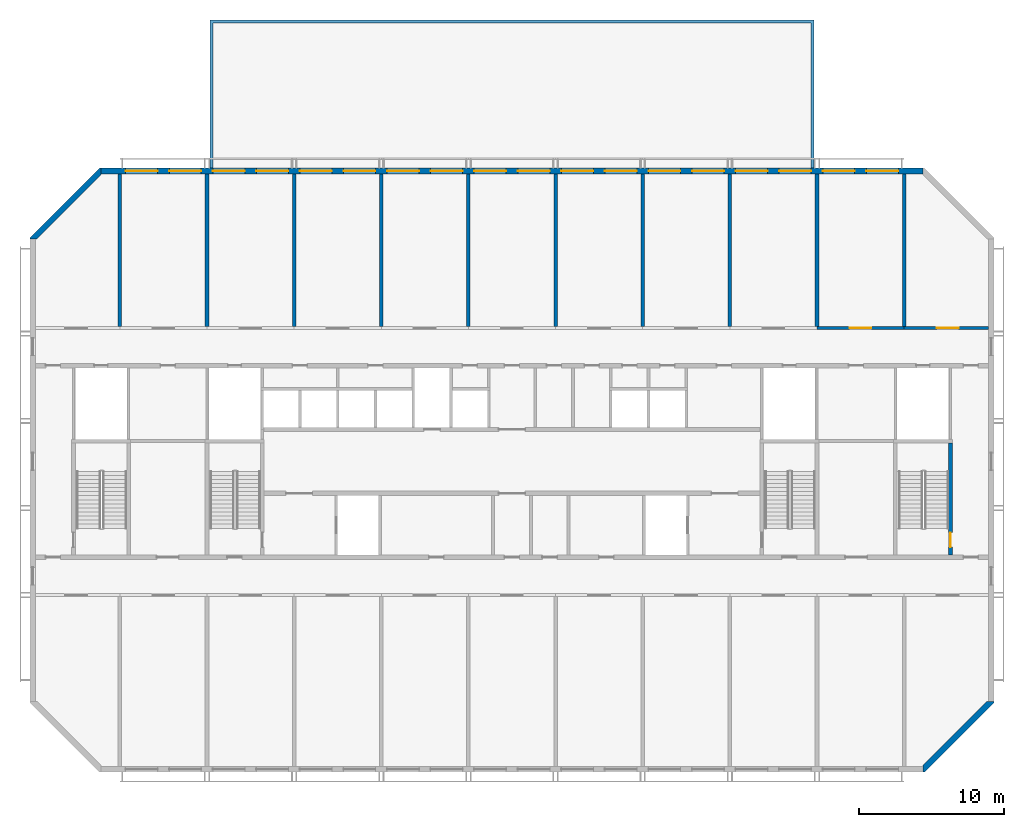
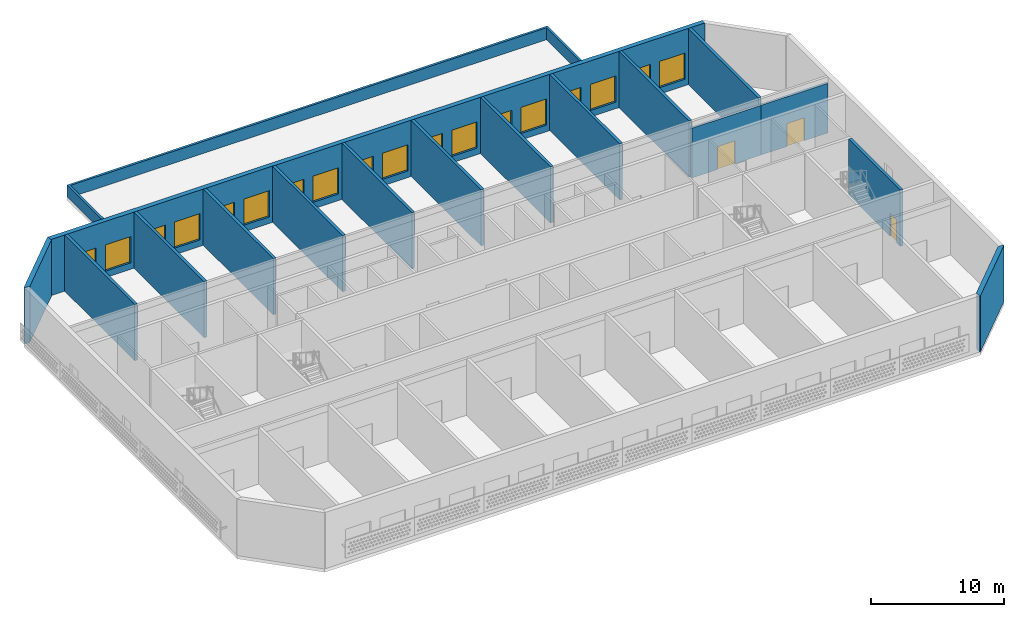
# One storey, part 6 of 18: 18 windows, 17 walls, 3 doors, 21 openings.
"""IFC4 building model written with IfcOpenShell, lengths in metres."""

from ifc_helpers import new_model, si_unit, direction, frame, frame_2d, origin, place, context, subcontext, project, spatial, polyline, rectangle, outline, extrude, material, layer, layer_set, type_object, element, fill, save


model = new_model("IFC4")

# Units and contexts
model_context = context("Model", 3, precision=1e-05, world=origin(), true_north=direction((0.0, 1.0)))
body_context = subcontext(model_context, "Body", "Model", "MODEL_VIEW")
ifc_project = project(units=[si_unit("LENGTHUNIT", "METRE"), si_unit("AREAUNIT", "SQUARE_METRE"), si_unit("VOLUMEUNIT", "CUBIC_METRE"), si_unit("PLANEANGLEUNIT", "RADIAN"), si_unit("MASSUNIT", "GRAM", prefix="KILO")], contexts=[model_context])

# Site, building, storey
site_placement = place(None, origin())
site = spatial("IfcSite", under=ifc_project, at=site_placement, CompositionType="ELEMENT")
building_placement = place(site_placement, origin())
building = spatial("IfcBuilding", under=site, at=building_placement, Name="Poui Terraces", CompositionType="ELEMENT")
storey_placement = place(building_placement, frame((0.0, 0.0, 267.0)))
storey = spatial("IfcBuildingStorey", under=building, at=storey_placement, Name="L74", CompositionType="ELEMENT", Elevation=267.0)

# Wall, opening, door
ifc_material_1 = material(Name="Concrete 50 MPa", Category="concrete")
ifc_layer_1 = layer(ifc_material_1, 0.199951171875)
ifc_layer_set_1 = layer_set([ifc_layer_1], Name="Concrete 50 MPa")
wall_type_1 = type_object("IfcWallType", Name="CORRIDOR WALL 200 50MPa", PredefinedType="SHEAR", material=ifc_layer_set_1)
wall_1_placement = place(storey_placement, frame((72.0, 30.39990234375, 0.0), z_axis=(0.0, 0.0, 1.0), x_axis=(1.0, 0.0, 0.0)))
wall_1 = element("IfcWall", 1, at=wall_1_placement, inside=storey, type_object=wall_type_1, Name="CORRIDOR WALL LINE E BAY 10", PredefinedType="SHEAR", context=body_context, shape_type="SweptSolid", body=[
    extrude(rectangle(XDim=6.0, YDim=0.199951171875, at=frame_2d((3.0, 0.0))), origin(), (0.0, 0.0, 1.0), 4.550048828125),
])
opening_1_placement = place(wall_1_placement, frame((2.25, 0.0, 0.0)))
opening_1 = element("IfcOpeningElement", 2, at=opening_1_placement, cuts=wall_1, Name="Opening FDP", PredefinedType="OPENING", context=body_context, shape_type="SweptSolid", body=[
    extrude(rectangle(XDim=1.5, YDim=2.10009765625, at=frame_2d((0.75, 1.050048828125))), frame((0.0, 0.10986328125, 0.0), z_axis=(0.0, -1.0, 0.0), x_axis=(1.0, 0.0, 0.0)), (0.0, 0.0, 1.0), 0.219970703125),
])
ifc_material_2 = material(Name="Steel fire door", Category="steel")
door_type_1 = type_object("IfcDoorType", Name="PLANT ROOM DOOR PAIR 1500 X 2100", OperationType="DOUBLE_DOOR_SINGLE_SWING", PredefinedType="DOOR", material=ifc_material_2)
door_1_placement = place(opening_1_placement, frame((1.5, 0.0, 0.0), z_axis=(0.0, 0.0, 1.0), x_axis=(-1.0, 0.0, 0.0)))
door_1 = element("IfcDoor", 3, at=door_1_placement, inside=storey, type_object=door_type_1, Name="PLANT ROOM DOOR PAIR 025", OperationType="DOUBLE_DOOR_SINGLE_SWING", OverallHeight=2.10009765625, OverallWidth=1.5, PredefinedType="DOOR", context=body_context, shape_type="SweptSolid", body=[
    extrude(rectangle(XDim=1.5, YDim=2.10009765625, at=frame_2d((0.75, 1.050048828125))), frame((0.0, 0.02490234375, 0.0), z_axis=(0.0, -1.0, 0.0), x_axis=(1.0, 0.0, 0.0)), (0.0, 0.0, 1.0), 0.050048828125),
])
fill(opening_1, door_1)

wall_2_placement = place(storey_placement, frame((78.0, 30.39990234375, 0.0), z_axis=(0.0, 0.0, 1.0), x_axis=(1.0, 0.0, 0.0)))
wall_2 = element("IfcWall", 4, at=wall_2_placement, inside=storey, type_object=wall_type_1, Name="CORRIDOR WALL LINE E BAY 11", PredefinedType="SHEAR", context=body_context, shape_type="SweptSolid", body=[
    extrude(rectangle(XDim=5.800048828125, YDim=0.199951171875, at=frame_2d((2.89990234375, 0.0))), origin(), (0.0, 0.0, 1.0), 4.550048828125),
])
opening_2_placement = place(wall_2_placement, frame((2.25, 0.0, 0.0)))
opening_2 = element("IfcOpeningElement", 5, at=opening_2_placement, cuts=wall_2, Name="Opening FDP", PredefinedType="OPENING", context=body_context, shape_type="SweptSolid", body=[
    extrude(rectangle(XDim=1.5, YDim=2.10009765625, at=frame_2d((0.75, 1.050048828125))), frame((0.0, 0.10986328125, 0.0), z_axis=(0.0, -1.0, 0.0), x_axis=(1.0, 0.0, 0.0)), (0.0, 0.0, 1.0), 0.219970703125),
])
door_2_placement = place(opening_2_placement, frame((1.5, 0.0, 0.0), z_axis=(0.0, 0.0, 1.0), x_axis=(-1.0, 0.0, 0.0)))
door_2 = element("IfcDoor", 6, at=door_2_placement, inside=storey, type_object=door_type_1, Name="PLANT ROOM DOOR PAIR 027", OperationType="DOUBLE_DOOR_SINGLE_SWING", OverallHeight=2.10009765625, OverallWidth=1.5, PredefinedType="DOOR", context=body_context, shape_type="SweptSolid", body=[
    extrude(rectangle(XDim=1.5, YDim=2.10009765625, at=frame_2d((0.75, 1.050048828125))), frame((0.0, 0.02490234375, 0.0), z_axis=(0.0, -1.0, 0.0), x_axis=(1.0, 0.0, 0.0)), (0.0, 0.0, 1.0), 0.050048828125),
])
fill(opening_2, door_2)

# Walls
ifc_layer_2 = layer(ifc_material_1, 0.25)
ifc_layer_set_2 = layer_set([ifc_layer_2], Name="Concrete 50 MPa")
wall_type_2 = type_object("IfcWallType", Name="CROSS WALL 250 50MPa", PredefinedType="SHEAR", material=ifc_layer_set_2)
for number, where, z_axis, x_axis, name in (
    (7, (24.0, 30.5, 0.0), (0.0, 0.0, 1.0), (0.0, 1.0, 0.0), "CROSS WALL LINE 5 NORTH"),
    (8, (30.0, 30.5, 0.0), (0.0, 0.0, 1.0), (0.0, 1.0, 0.0), "CROSS WALL LINE 6 NORTH"),
    (9, (36.0, 30.5, 0.0), (0.0, 0.0, 1.0), (0.0, 1.0, 0.0), "CROSS WALL LINE 7 NORTH"),
    (10, (42.0, 30.5, 0.0), (0.0, 0.0, 1.0), (0.0, 1.0, 0.0), "CROSS WALL LINE 8 NORTH"),
    (11, (48.0, 30.5, 0.0), (0.0, 0.0, 1.0), (0.0, 1.0, 0.0), "CROSS WALL LINE 9 NORTH"),
    (12, (54.0, 30.5, 0.0), (0.0, 0.0, 1.0), (0.0, 1.0, 0.0), "CROSS WALL LINE 10 NORTH"),
    (13, (60.0, 30.5, 0.0), (0.0, 0.0, 1.0), (0.0, 1.0, 0.0), "CROSS WALL LINE 11 NORTH"),
    (14, (66.0, 30.5, 0.0), (0.0, 0.0, 1.0), (0.0, 1.0, 0.0), "CROSS WALL LINE 12 NORTH"),
    (15, (72.0, 30.5, 0.0), (0.0, 0.0, 1.0), (0.0, 1.0, 0.0), "CROSS WALL LINE 13 NORTH"),
    (16, (78.0, 30.5, 0.0), (0.0, 0.0, 1.0), (0.0, 1.0, 0.0), "CROSS WALL LINE 14 NORTH"),
):
    element("IfcWall", number, at=place(storey_placement, frame(where, z_axis=z_axis, x_axis=x_axis)), inside=storey, type_object=wall_type_2, Name=name, PredefinedType="SHEAR", context=body_context, shape_type="SweptSolid", body=[
        extrude(rectangle(XDim=10.5, YDim=0.25, at=frame_2d((5.25, 0.0))), origin(), (0.0, 0.0, 1.0), 5.14990234375),
    ])

# Wall, openings, windows
ifc_material_3 = material(Name="Precast concrete 40 MPa", Category="concrete")
ifc_layer_3 = layer(ifc_material_3, 0.39990234375)
ifc_layer_set_3 = layer_set([ifc_layer_3], Name="Precast concrete 40 MPa")
wall_type_3 = type_object("IfcWallType", Name="EXTERNAL WALL 400", PredefinedType="STANDARD", material=ifc_layer_set_3)
wall_3_placement = place(storey_placement, frame((79.317138671875, 41.199951171875, 0.0), z_axis=(0.0, 0.0, 1.0), x_axis=(-1.0, 0.0, 0.0)))
wall_3 = element("IfcWall", 17, at=wall_3_placement, inside=storey, type_object=wall_type_3, Name="EXTERNAL WALL N", PredefinedType="STANDARD", context=body_context, shape_type="SweptSolid", body=[
    extrude(rectangle(XDim=56.63427734375, YDim=0.39990234375, at=frame_2d((28.317138671875, 0.0))), origin(), (0.0, 0.0, 1.0), 5.14990234375),
])
opening_3_placement = place(wall_3_placement, frame((52.71728515625, 0.0, 0.60009765625)))
opening_3 = element("IfcOpeningElement", 18, at=opening_3_placement, cuts=wall_3, Name="Opening W5", PredefinedType="OPENING", context=body_context, shape_type="SweptSolid", body=[
    extrude(rectangle(XDim=2.199951171875, YDim=2.39990234375, at=frame_2d((1.10009765625, 1.199951171875))), frame((0.0, 0.2099609375, 0.0), z_axis=(0.0, -1.0, 0.0), x_axis=(1.0, 0.0, 0.0)), (0.0, 0.0, 1.0), 0.419921875),
])
opening_4_placement = place(wall_3_placement, frame((49.71728515625, 0.0, 0.60009765625)))
opening_4 = element("IfcOpeningElement", 19, at=opening_4_placement, cuts=wall_3, Name="Opening W5", PredefinedType="OPENING", context=body_context, shape_type="SweptSolid", body=[
    extrude(rectangle(XDim=2.199951171875, YDim=2.39990234375, at=frame_2d((1.10009765625, 1.199951171875))), frame((0.0, 0.2099609375, 0.0), z_axis=(0.0, -1.0, 0.0), x_axis=(1.0, 0.0, 0.0)), (0.0, 0.0, 1.0), 0.419921875),
])
opening_5_placement = place(wall_3_placement, frame((46.71728515625, 0.0, 0.60009765625)))
opening_5 = element("IfcOpeningElement", 20, at=opening_5_placement, cuts=wall_3, Name="Opening W5", PredefinedType="OPENING", context=body_context, shape_type="SweptSolid", body=[
    extrude(rectangle(XDim=2.199951171875, YDim=2.39990234375, at=frame_2d((1.10009765625, 1.199951171875))), frame((0.0, 0.2099609375, 0.0), z_axis=(0.0, -1.0, 0.0), x_axis=(1.0, 0.0, 0.0)), (0.0, 0.0, 1.0), 0.419921875),
])
opening_6_placement = place(wall_3_placement, frame((43.71728515625, 0.0, 0.60009765625)))
opening_6 = element("IfcOpeningElement", 21, at=opening_6_placement, cuts=wall_3, Name="Opening W5", PredefinedType="OPENING", context=body_context, shape_type="SweptSolid", body=[
    extrude(rectangle(XDim=2.199951171875, YDim=2.39990234375, at=frame_2d((1.10009765625, 1.199951171875))), frame((0.0, 0.2099609375, 0.0), z_axis=(0.0, -1.0, 0.0), x_axis=(1.0, 0.0, 0.0)), (0.0, 0.0, 1.0), 0.419921875),
])
opening_7_placement = place(wall_3_placement, frame((40.71728515625, 0.0, 0.60009765625)))
opening_7 = element("IfcOpeningElement", 22, at=opening_7_placement, cuts=wall_3, Name="Opening W5", PredefinedType="OPENING", context=body_context, shape_type="SweptSolid", body=[
    extrude(rectangle(XDim=2.199951171875, YDim=2.39990234375, at=frame_2d((1.10009765625, 1.199951171875))), frame((0.0, 0.2099609375, 0.0), z_axis=(0.0, -1.0, 0.0), x_axis=(1.0, 0.0, 0.0)), (0.0, 0.0, 1.0), 0.419921875),
])
opening_8_placement = place(wall_3_placement, frame((37.71728515625, 0.0, 0.60009765625)))
opening_8 = element("IfcOpeningElement", 23, at=opening_8_placement, cuts=wall_3, Name="Opening W5", PredefinedType="OPENING", context=body_context, shape_type="SweptSolid", body=[
    extrude(rectangle(XDim=2.199951171875, YDim=2.39990234375, at=frame_2d((1.10009765625, 1.199951171875))), frame((0.0, 0.2099609375, 0.0), z_axis=(0.0, -1.0, 0.0), x_axis=(1.0, 0.0, 0.0)), (0.0, 0.0, 1.0), 0.419921875),
])
opening_9_placement = place(wall_3_placement, frame((34.71728515625, 0.0, 0.60009765625)))
opening_9 = element("IfcOpeningElement", 24, at=opening_9_placement, cuts=wall_3, Name="Opening W5", PredefinedType="OPENING", context=body_context, shape_type="SweptSolid", body=[
    extrude(rectangle(XDim=2.199951171875, YDim=2.39990234375, at=frame_2d((1.10009765625, 1.199951171875))), frame((0.0, 0.2099609375, 0.0), z_axis=(0.0, -1.0, 0.0), x_axis=(1.0, 0.0, 0.0)), (0.0, 0.0, 1.0), 0.419921875),
])
opening_10_placement = place(wall_3_placement, frame((31.71728515625, 0.0, 0.60009765625)))
opening_10 = element("IfcOpeningElement", 25, at=opening_10_placement, cuts=wall_3, Name="Opening W5", PredefinedType="OPENING", context=body_context, shape_type="SweptSolid", body=[
    extrude(rectangle(XDim=2.199951171875, YDim=2.39990234375, at=frame_2d((1.10009765625, 1.199951171875))), frame((0.0, 0.2099609375, 0.0), z_axis=(0.0, -1.0, 0.0), x_axis=(1.0, 0.0, 0.0)), (0.0, 0.0, 1.0), 0.419921875),
])
opening_11_placement = place(wall_3_placement, frame((28.71728515625, 0.0, 0.60009765625)))
opening_11 = element("IfcOpeningElement", 26, at=opening_11_placement, cuts=wall_3, Name="Opening W5", PredefinedType="OPENING", context=body_context, shape_type="SweptSolid", body=[
    extrude(rectangle(XDim=2.199951171875, YDim=2.39990234375, at=frame_2d((1.10009765625, 1.199951171875))), frame((0.0, 0.2099609375, 0.0), z_axis=(0.0, -1.0, 0.0), x_axis=(1.0, 0.0, 0.0)), (0.0, 0.0, 1.0), 0.419921875),
])
opening_12_placement = place(wall_3_placement, frame((25.71728515625, 0.0, 0.60009765625)))
opening_12 = element("IfcOpeningElement", 27, at=opening_12_placement, cuts=wall_3, Name="Opening W5", PredefinedType="OPENING", context=body_context, shape_type="SweptSolid", body=[
    extrude(rectangle(XDim=2.199951171875, YDim=2.39990234375, at=frame_2d((1.10009765625, 1.199951171875))), frame((0.0, 0.2099609375, 0.0), z_axis=(0.0, -1.0, 0.0), x_axis=(1.0, 0.0, 0.0)), (0.0, 0.0, 1.0), 0.419921875),
])
opening_13_placement = place(wall_3_placement, frame((22.71728515625, 0.0, 0.60009765625)))
opening_13 = element("IfcOpeningElement", 28, at=opening_13_placement, cuts=wall_3, Name="Opening W5", PredefinedType="OPENING", context=body_context, shape_type="SweptSolid", body=[
    extrude(rectangle(XDim=2.199951171875, YDim=2.39990234375, at=frame_2d((1.10009765625, 1.199951171875))), frame((0.0, 0.2099609375, 0.0), z_axis=(0.0, -1.0, 0.0), x_axis=(1.0, 0.0, 0.0)), (0.0, 0.0, 1.0), 0.419921875),
])
opening_14_placement = place(wall_3_placement, frame((19.71728515625, 0.0, 0.60009765625)))
opening_14 = element("IfcOpeningElement", 29, at=opening_14_placement, cuts=wall_3, Name="Opening W5", PredefinedType="OPENING", context=body_context, shape_type="SweptSolid", body=[
    extrude(rectangle(XDim=2.199951171875, YDim=2.39990234375, at=frame_2d((1.10009765625, 1.199951171875))), frame((0.0, 0.2099609375, 0.0), z_axis=(0.0, -1.0, 0.0), x_axis=(1.0, 0.0, 0.0)), (0.0, 0.0, 1.0), 0.419921875),
])
opening_15_placement = place(wall_3_placement, frame((16.71728515625, 0.0, 0.60009765625)))
opening_15 = element("IfcOpeningElement", 30, at=opening_15_placement, cuts=wall_3, Name="Opening W5", PredefinedType="OPENING", context=body_context, shape_type="SweptSolid", body=[
    extrude(rectangle(XDim=2.199951171875, YDim=2.39990234375, at=frame_2d((1.10009765625, 1.199951171875))), frame((0.0, 0.2099609375, 0.0), z_axis=(0.0, -1.0, 0.0), x_axis=(1.0, 0.0, 0.0)), (0.0, 0.0, 1.0), 0.419921875),
])
opening_16_placement = place(wall_3_placement, frame((13.71728515625, 0.0, 0.60009765625)))
opening_16 = element("IfcOpeningElement", 31, at=opening_16_placement, cuts=wall_3, Name="Opening W5", PredefinedType="OPENING", context=body_context, shape_type="SweptSolid", body=[
    extrude(rectangle(XDim=2.199951171875, YDim=2.39990234375, at=frame_2d((1.10009765625, 1.199951171875))), frame((0.0, 0.2099609375, 0.0), z_axis=(0.0, -1.0, 0.0), x_axis=(1.0, 0.0, 0.0)), (0.0, 0.0, 1.0), 0.419921875),
])
opening_17_placement = place(wall_3_placement, frame((10.71728515625, 0.0, 0.60009765625)))
opening_17 = element("IfcOpeningElement", 32, at=opening_17_placement, cuts=wall_3, Name="Opening W5", PredefinedType="OPENING", context=body_context, shape_type="SweptSolid", body=[
    extrude(rectangle(XDim=2.199951171875, YDim=2.39990234375, at=frame_2d((1.10009765625, 1.199951171875))), frame((0.0, 0.2099609375, 0.0), z_axis=(0.0, -1.0, 0.0), x_axis=(1.0, 0.0, 0.0)), (0.0, 0.0, 1.0), 0.419921875),
])
opening_18_placement = place(wall_3_placement, frame((7.71728515625, 0.0, 0.60009765625)))
opening_18 = element("IfcOpeningElement", 33, at=opening_18_placement, cuts=wall_3, Name="Opening W5", PredefinedType="OPENING", context=body_context, shape_type="SweptSolid", body=[
    extrude(rectangle(XDim=2.199951171875, YDim=2.39990234375, at=frame_2d((1.10009765625, 1.199951171875))), frame((0.0, 0.2099609375, 0.0), z_axis=(0.0, -1.0, 0.0), x_axis=(1.0, 0.0, 0.0)), (0.0, 0.0, 1.0), 0.419921875),
])
opening_19_placement = place(wall_3_placement, frame((4.71728515625, 0.0, 0.60009765625)))
opening_19 = element("IfcOpeningElement", 34, at=opening_19_placement, cuts=wall_3, Name="Opening W5", PredefinedType="OPENING", context=body_context, shape_type="SweptSolid", body=[
    extrude(rectangle(XDim=2.199951171875, YDim=2.39990234375, at=frame_2d((1.10009765625, 1.199951171875))), frame((0.0, 0.2099609375, 0.0), z_axis=(0.0, -1.0, 0.0), x_axis=(1.0, 0.0, 0.0)), (0.0, 0.0, 1.0), 0.419921875),
])
opening_20_placement = place(wall_3_placement, frame((1.71728515625, 0.0, 0.60009765625)))
opening_20 = element("IfcOpeningElement", 35, at=opening_20_placement, cuts=wall_3, Name="Opening W5", PredefinedType="OPENING", context=body_context, shape_type="SweptSolid", body=[
    extrude(rectangle(XDim=2.199951171875, YDim=2.39990234375, at=frame_2d((1.10009765625, 1.199951171875))), frame((0.0, 0.2099609375, 0.0), z_axis=(0.0, -1.0, 0.0), x_axis=(1.0, 0.0, 0.0)), (0.0, 0.0, 1.0), 0.419921875),
])
ifc_material_4 = material(Name="Clear glass in aluminium frame", Category="aluminium")
window_type = type_object("IfcWindowType", Name="WINDOW 2200X2400", PartitioningType="TRIPLE_PANEL_HORIZONTAL", PredefinedType="WINDOW", material=ifc_material_4)
window_1_placement = place(opening_3_placement, origin())
window_1 = element("IfcWindow", 36, at=window_1_placement, inside=storey, type_object=window_type, Name="W5 WINDOW", OverallHeight=2.39990234375, OverallWidth=2.199951171875, PartitioningType="TRIPLE_PANEL_HORIZONTAL", PredefinedType="WINDOW", context=body_context, shape_type="SweptSolid", body=[
    extrude(rectangle(XDim=2.199951171875, YDim=2.39990234375, at=frame_2d((1.10009765625, 1.199951171875))), frame((0.0, 0.030029296875, 0.0), z_axis=(0.0, -1.0, 0.0), x_axis=(1.0, 0.0, 0.0)), (0.0, 0.0, 1.0), 0.06005859375),
])
fill(opening_3, window_1)
window_2_placement = place(opening_4_placement, origin())
window_2 = element("IfcWindow", 37, at=window_2_placement, inside=storey, type_object=window_type, Name="W5 WINDOW", OverallHeight=2.39990234375, OverallWidth=2.199951171875, PartitioningType="TRIPLE_PANEL_HORIZONTAL", PredefinedType="WINDOW", context=body_context, shape_type="SweptSolid", body=[
    extrude(rectangle(XDim=2.199951171875, YDim=2.39990234375, at=frame_2d((1.10009765625, 1.199951171875))), frame((0.0, 0.030029296875, 0.0), z_axis=(0.0, -1.0, 0.0), x_axis=(1.0, 0.0, 0.0)), (0.0, 0.0, 1.0), 0.06005859375),
])
fill(opening_4, window_2)
window_3_placement = place(opening_5_placement, origin())
window_3 = element("IfcWindow", 38, at=window_3_placement, inside=storey, type_object=window_type, Name="W5 WINDOW", OverallHeight=2.39990234375, OverallWidth=2.199951171875, PartitioningType="TRIPLE_PANEL_HORIZONTAL", PredefinedType="WINDOW", context=body_context, shape_type="SweptSolid", body=[
    extrude(rectangle(XDim=2.199951171875, YDim=2.39990234375, at=frame_2d((1.10009765625, 1.199951171875))), frame((0.0, 0.030029296875, 0.0), z_axis=(0.0, -1.0, 0.0), x_axis=(1.0, 0.0, 0.0)), (0.0, 0.0, 1.0), 0.06005859375),
])
fill(opening_5, window_3)
window_4_placement = place(opening_6_placement, origin())
window_4 = element("IfcWindow", 39, at=window_4_placement, inside=storey, type_object=window_type, Name="W5 WINDOW", OverallHeight=2.39990234375, OverallWidth=2.199951171875, PartitioningType="TRIPLE_PANEL_HORIZONTAL", PredefinedType="WINDOW", context=body_context, shape_type="SweptSolid", body=[
    extrude(rectangle(XDim=2.199951171875, YDim=2.39990234375, at=frame_2d((1.10009765625, 1.199951171875))), frame((0.0, 0.030029296875, 0.0), z_axis=(0.0, -1.0, 0.0), x_axis=(1.0, 0.0, 0.0)), (0.0, 0.0, 1.0), 0.06005859375),
])
fill(opening_6, window_4)
window_5_placement = place(opening_7_placement, origin())
window_5 = element("IfcWindow", 40, at=window_5_placement, inside=storey, type_object=window_type, Name="W5 WINDOW", OverallHeight=2.39990234375, OverallWidth=2.199951171875, PartitioningType="TRIPLE_PANEL_HORIZONTAL", PredefinedType="WINDOW", context=body_context, shape_type="SweptSolid", body=[
    extrude(rectangle(XDim=2.199951171875, YDim=2.39990234375, at=frame_2d((1.10009765625, 1.199951171875))), frame((0.0, 0.030029296875, 0.0), z_axis=(0.0, -1.0, 0.0), x_axis=(1.0, 0.0, 0.0)), (0.0, 0.0, 1.0), 0.06005859375),
])
fill(opening_7, window_5)
window_6_placement = place(opening_8_placement, origin())
window_6 = element("IfcWindow", 41, at=window_6_placement, inside=storey, type_object=window_type, Name="W5 WINDOW", OverallHeight=2.39990234375, OverallWidth=2.199951171875, PartitioningType="TRIPLE_PANEL_HORIZONTAL", PredefinedType="WINDOW", context=body_context, shape_type="SweptSolid", body=[
    extrude(rectangle(XDim=2.199951171875, YDim=2.39990234375, at=frame_2d((1.10009765625, 1.199951171875))), frame((0.0, 0.030029296875, 0.0), z_axis=(0.0, -1.0, 0.0), x_axis=(1.0, 0.0, 0.0)), (0.0, 0.0, 1.0), 0.06005859375),
])
fill(opening_8, window_6)
window_7_placement = place(opening_9_placement, origin())
window_7 = element("IfcWindow", 42, at=window_7_placement, inside=storey, type_object=window_type, Name="W5 WINDOW", OverallHeight=2.39990234375, OverallWidth=2.199951171875, PartitioningType="TRIPLE_PANEL_HORIZONTAL", PredefinedType="WINDOW", context=body_context, shape_type="SweptSolid", body=[
    extrude(rectangle(XDim=2.199951171875, YDim=2.39990234375, at=frame_2d((1.10009765625, 1.199951171875))), frame((0.0, 0.030029296875, 0.0), z_axis=(0.0, -1.0, 0.0), x_axis=(1.0, 0.0, 0.0)), (0.0, 0.0, 1.0), 0.06005859375),
])
fill(opening_9, window_7)
window_8_placement = place(opening_10_placement, origin())
window_8 = element("IfcWindow", 43, at=window_8_placement, inside=storey, type_object=window_type, Name="W5 WINDOW", OverallHeight=2.39990234375, OverallWidth=2.199951171875, PartitioningType="TRIPLE_PANEL_HORIZONTAL", PredefinedType="WINDOW", context=body_context, shape_type="SweptSolid", body=[
    extrude(rectangle(XDim=2.199951171875, YDim=2.39990234375, at=frame_2d((1.10009765625, 1.199951171875))), frame((0.0, 0.030029296875, 0.0), z_axis=(0.0, -1.0, 0.0), x_axis=(1.0, 0.0, 0.0)), (0.0, 0.0, 1.0), 0.06005859375),
])
fill(opening_10, window_8)
window_9_placement = place(opening_11_placement, origin())
window_9 = element("IfcWindow", 44, at=window_9_placement, inside=storey, type_object=window_type, Name="W5 WINDOW", OverallHeight=2.39990234375, OverallWidth=2.199951171875, PartitioningType="TRIPLE_PANEL_HORIZONTAL", PredefinedType="WINDOW", context=body_context, shape_type="SweptSolid", body=[
    extrude(rectangle(XDim=2.199951171875, YDim=2.39990234375, at=frame_2d((1.10009765625, 1.199951171875))), frame((0.0, 0.030029296875, 0.0), z_axis=(0.0, -1.0, 0.0), x_axis=(1.0, 0.0, 0.0)), (0.0, 0.0, 1.0), 0.06005859375),
])
fill(opening_11, window_9)
window_10_placement = place(opening_12_placement, origin())
window_10 = element("IfcWindow", 45, at=window_10_placement, inside=storey, type_object=window_type, Name="W5 WINDOW", OverallHeight=2.39990234375, OverallWidth=2.199951171875, PartitioningType="TRIPLE_PANEL_HORIZONTAL", PredefinedType="WINDOW", context=body_context, shape_type="SweptSolid", body=[
    extrude(rectangle(XDim=2.199951171875, YDim=2.39990234375, at=frame_2d((1.10009765625, 1.199951171875))), frame((0.0, 0.030029296875, 0.0), z_axis=(0.0, -1.0, 0.0), x_axis=(1.0, 0.0, 0.0)), (0.0, 0.0, 1.0), 0.06005859375),
])
fill(opening_12, window_10)
window_11_placement = place(opening_13_placement, origin())
window_11 = element("IfcWindow", 46, at=window_11_placement, inside=storey, type_object=window_type, Name="W5 WINDOW", OverallHeight=2.39990234375, OverallWidth=2.199951171875, PartitioningType="TRIPLE_PANEL_HORIZONTAL", PredefinedType="WINDOW", context=body_context, shape_type="SweptSolid", body=[
    extrude(rectangle(XDim=2.199951171875, YDim=2.39990234375, at=frame_2d((1.10009765625, 1.199951171875))), frame((0.0, 0.030029296875, 0.0), z_axis=(0.0, -1.0, 0.0), x_axis=(1.0, 0.0, 0.0)), (0.0, 0.0, 1.0), 0.06005859375),
])
fill(opening_13, window_11)
window_12_placement = place(opening_14_placement, origin())
window_12 = element("IfcWindow", 47, at=window_12_placement, inside=storey, type_object=window_type, Name="W5 WINDOW", OverallHeight=2.39990234375, OverallWidth=2.199951171875, PartitioningType="TRIPLE_PANEL_HORIZONTAL", PredefinedType="WINDOW", context=body_context, shape_type="SweptSolid", body=[
    extrude(rectangle(XDim=2.199951171875, YDim=2.39990234375, at=frame_2d((1.10009765625, 1.199951171875))), frame((0.0, 0.030029296875, 0.0), z_axis=(0.0, -1.0, 0.0), x_axis=(1.0, 0.0, 0.0)), (0.0, 0.0, 1.0), 0.06005859375),
])
fill(opening_14, window_12)
window_13_placement = place(opening_15_placement, origin())
window_13 = element("IfcWindow", 48, at=window_13_placement, inside=storey, type_object=window_type, Name="W5 WINDOW", OverallHeight=2.39990234375, OverallWidth=2.199951171875, PartitioningType="TRIPLE_PANEL_HORIZONTAL", PredefinedType="WINDOW", context=body_context, shape_type="SweptSolid", body=[
    extrude(rectangle(XDim=2.199951171875, YDim=2.39990234375, at=frame_2d((1.10009765625, 1.199951171875))), frame((0.0, 0.030029296875, 0.0), z_axis=(0.0, -1.0, 0.0), x_axis=(1.0, 0.0, 0.0)), (0.0, 0.0, 1.0), 0.06005859375),
])
fill(opening_15, window_13)
window_14_placement = place(opening_16_placement, origin())
window_14 = element("IfcWindow", 49, at=window_14_placement, inside=storey, type_object=window_type, Name="W5 WINDOW", OverallHeight=2.39990234375, OverallWidth=2.199951171875, PartitioningType="TRIPLE_PANEL_HORIZONTAL", PredefinedType="WINDOW", context=body_context, shape_type="SweptSolid", body=[
    extrude(rectangle(XDim=2.199951171875, YDim=2.39990234375, at=frame_2d((1.10009765625, 1.199951171875))), frame((0.0, 0.030029296875, 0.0), z_axis=(0.0, -1.0, 0.0), x_axis=(1.0, 0.0, 0.0)), (0.0, 0.0, 1.0), 0.06005859375),
])
fill(opening_16, window_14)
window_15_placement = place(opening_17_placement, origin())
window_15 = element("IfcWindow", 50, at=window_15_placement, inside=storey, type_object=window_type, Name="W5 WINDOW", OverallHeight=2.39990234375, OverallWidth=2.199951171875, PartitioningType="TRIPLE_PANEL_HORIZONTAL", PredefinedType="WINDOW", context=body_context, shape_type="SweptSolid", body=[
    extrude(rectangle(XDim=2.199951171875, YDim=2.39990234375, at=frame_2d((1.10009765625, 1.199951171875))), frame((0.0, 0.030029296875, 0.0), z_axis=(0.0, -1.0, 0.0), x_axis=(1.0, 0.0, 0.0)), (0.0, 0.0, 1.0), 0.06005859375),
])
fill(opening_17, window_15)
window_16_placement = place(opening_18_placement, origin())
window_16 = element("IfcWindow", 51, at=window_16_placement, inside=storey, type_object=window_type, Name="W5 WINDOW", OverallHeight=2.39990234375, OverallWidth=2.199951171875, PartitioningType="TRIPLE_PANEL_HORIZONTAL", PredefinedType="WINDOW", context=body_context, shape_type="SweptSolid", body=[
    extrude(rectangle(XDim=2.199951171875, YDim=2.39990234375, at=frame_2d((1.10009765625, 1.199951171875))), frame((0.0, 0.030029296875, 0.0), z_axis=(0.0, -1.0, 0.0), x_axis=(1.0, 0.0, 0.0)), (0.0, 0.0, 1.0), 0.06005859375),
])
fill(opening_18, window_16)
window_17_placement = place(opening_19_placement, origin())
window_17 = element("IfcWindow", 52, at=window_17_placement, inside=storey, type_object=window_type, Name="W5 WINDOW", OverallHeight=2.39990234375, OverallWidth=2.199951171875, PartitioningType="TRIPLE_PANEL_HORIZONTAL", PredefinedType="WINDOW", context=body_context, shape_type="SweptSolid", body=[
    extrude(rectangle(XDim=2.199951171875, YDim=2.39990234375, at=frame_2d((1.10009765625, 1.199951171875))), frame((0.0, 0.030029296875, 0.0), z_axis=(0.0, -1.0, 0.0), x_axis=(1.0, 0.0, 0.0)), (0.0, 0.0, 1.0), 0.06005859375),
])
fill(opening_19, window_17)
window_18_placement = place(opening_20_placement, origin())
window_18 = element("IfcWindow", 53, at=window_18_placement, inside=storey, type_object=window_type, Name="W5 WINDOW", OverallHeight=2.39990234375, OverallWidth=2.199951171875, PartitioningType="TRIPLE_PANEL_HORIZONTAL", PredefinedType="WINDOW", context=body_context, shape_type="SweptSolid", body=[
    extrude(rectangle(XDim=2.199951171875, YDim=2.39990234375, at=frame_2d((1.10009765625, 1.199951171875))), frame((0.0, 0.030029296875, 0.0), z_axis=(0.0, -1.0, 0.0), x_axis=(1.0, 0.0, 0.0)), (0.0, 0.0, 1.0), 0.06005859375),
])
fill(opening_20, window_18)

# Wall
ifc_layer_4 = layer(ifc_material_3, 0.199951171875)
ifc_layer_set_4 = layer_set([ifc_layer_4], Name="Precast concrete 40 MPa")
wall_type_4 = type_object("IfcWallType", Name="ROOF PARAPET 200", PredefinedType="PARAPET", material=ifc_layer_set_4)
wall_4_placement = place(storey_placement, origin())
element("IfcWall", 54, at=wall_4_placement, inside=storey, type_object=wall_type_4, Name="LOUNGE ROOF PARAPET", PredefinedType="PARAPET", context=body_context, shape_type="SweptSolid", body=[
    extrude(outline(polyline([(30.219970703125, 41.39990234375), (30.419921875, 41.39990234375), (30.419921875, 41.60009765625), (30.39990234375, 41.60009765625), (30.39990234375, 51.39990234375), (71.60009765625, 51.39990234375), (71.60009765625, 41.60009765625), (71.580078125, 41.60009765625), (71.580078125, 41.39990234375), (71.679931640625, 41.39990234375), (71.780029296875, 41.39990234375), (71.800048828125, 41.39990234375), (71.800048828125, 51.60009765625), (30.199951171875, 51.60009765625), (30.199951171875, 41.39990234375), (30.219970703125, 41.39990234375), (30.219970703125, 41.39990234375)])), origin(), (0.0, 0.0, 1.0), 1.10009765625),
])

# Wall, opening, door
ifc_layer_5 = layer(ifc_material_1, 0.25)
ifc_layer_set_5 = layer_set([ifc_layer_5], Name="Concrete 50 MPa")
wall_type_5 = type_object("IfcWallType", Name="STAIR CORE WALL 250 50 MPA", PredefinedType="SOLIDWALL", material=ifc_layer_set_5)
wall_5_placement = place(storey_placement, frame((81.199951171875, 14.75, 0.0), z_axis=(0.0, 0.0, 1.0), x_axis=(0.0, 1.0, 0.0)))
wall_5 = element("IfcWall", 55, at=wall_5_placement, inside=storey, type_object=wall_type_5, Name="STAIR CORE WALL", PredefinedType="SOLIDWALL", context=body_context, shape_type="SweptSolid", body=[
    extrude(rectangle(XDim=7.72509765625, YDim=0.25, at=frame_2d((3.862548828125, 0.0))), origin(), (0.0, 0.0, 1.0), 5.14990234375),
])
opening_21_placement = place(wall_5_placement, frame((0.550048828125, 0.0, 0.0)))
opening_21 = element("IfcOpeningElement", 56, at=opening_21_placement, cuts=wall_5, Name="Opening FD60S", PredefinedType="OPENING", context=body_context, shape_type="SweptSolid", body=[
    extrude(rectangle(XDim=1.0, YDim=2.10009765625, at=frame_2d((0.5, 1.050048828125))), frame((0.0, 0.135009765625, 0.0), z_axis=(0.0, -1.0, 0.0), x_axis=(1.0, 0.0, 0.0)), (0.0, 0.0, 1.0), 0.27001953125),
])
door_type_2 = type_object("IfcDoorType", Name="STAIR DOOR 1000 X 2100", OperationType="NOTDEFINED", PredefinedType="DOOR", material=ifc_material_2)
door_3_placement = place(opening_21_placement, origin())
door_3 = element("IfcDoor", 57, at=door_3_placement, inside=storey, type_object=door_type_2, Name="STAIR DOOR 059", OperationType="SINGLE_SWING_LEFT", OverallHeight=2.10009765625, OverallWidth=1.0, PredefinedType="DOOR", context=body_context, shape_type="SweptSolid", body=[
    extrude(rectangle(XDim=1.0, YDim=2.10009765625, at=frame_2d((0.5, 1.050048828125))), frame((0.0, 0.02490234375, 0.0), z_axis=(0.0, -1.0, 0.0), x_axis=(1.0, 0.0, 0.0)), (0.0, 0.0, 1.0), 0.050048828125),
])
fill(opening_21, door_3)

# Walls
ifc_layer_6 = layer(ifc_material_3, 0.39990234375)
ifc_layer_set_6 = layer_set([ifc_layer_6], Name="Precast concrete 40 MPa")
wall_type_6 = type_object("IfcWallType", Name="TERRACOTTA CLAD CHAMFER WALL 400", PredefinedType="STANDARD", material=ifc_layer_set_6)
wall_6_placement = place(storey_placement, origin())
element("IfcWall", 58, at=wall_6_placement, inside=storey, type_object=wall_type_6, Name="CHAMFER WALL CH01", PredefinedType="STANDARD", context=body_context, shape_type="SweptSolid", body=[
    extrude(outline(polyline([(79.317138671875, -0.199951171875), (79.39990234375, -0.199951171875), (84.199951171875, 4.60009765625), (84.199951171875, 4.682861328125), (83.71728515625, 4.682861328125), (79.317138671875, 0.28271484375), (79.317138671875, -0.199951171875)])), origin(), (0.0, 0.0, 1.0), 5.14990234375),
])
wall_7_placement = place(storey_placement, origin())
element("IfcWall", 59, at=wall_7_placement, inside=storey, type_object=wall_type_6, Name="CHAMFER WALL CH05", PredefinedType="STANDARD", context=body_context, shape_type="SweptSolid", body=[
    extrude(outline(polyline([(22.682861328125, 41.39990234375), (22.60009765625, 41.39990234375), (17.800048828125, 36.60009765625), (17.800048828125, 36.51708984375), (18.28271484375, 36.51708984375), (22.682861328125, 40.917236328125), (22.682861328125, 41.39990234375)])), origin(), (0.0, 0.0, 1.0), 5.14990234375),
])

save(model, "model.ifc")
